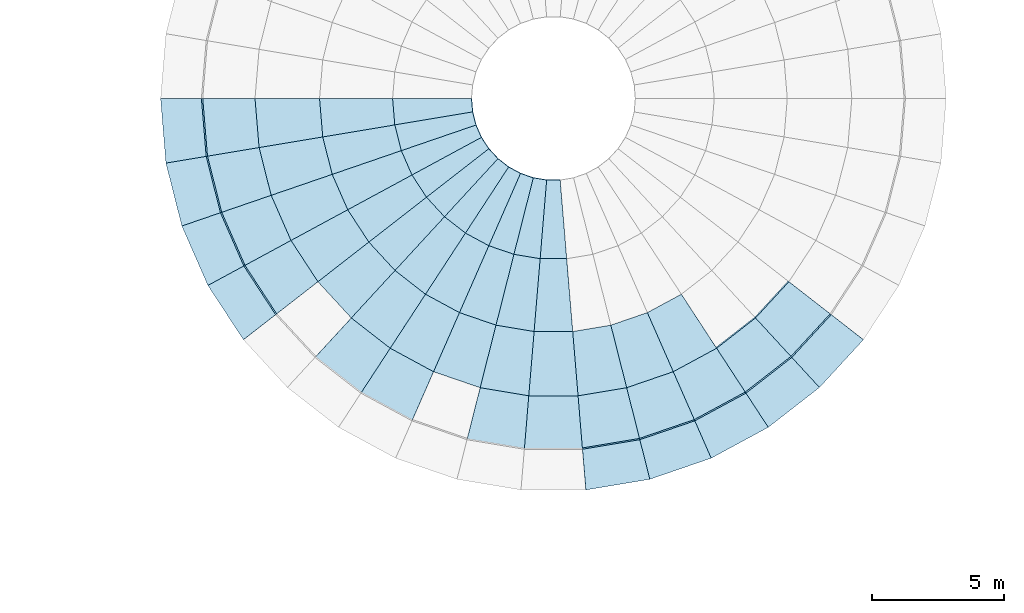
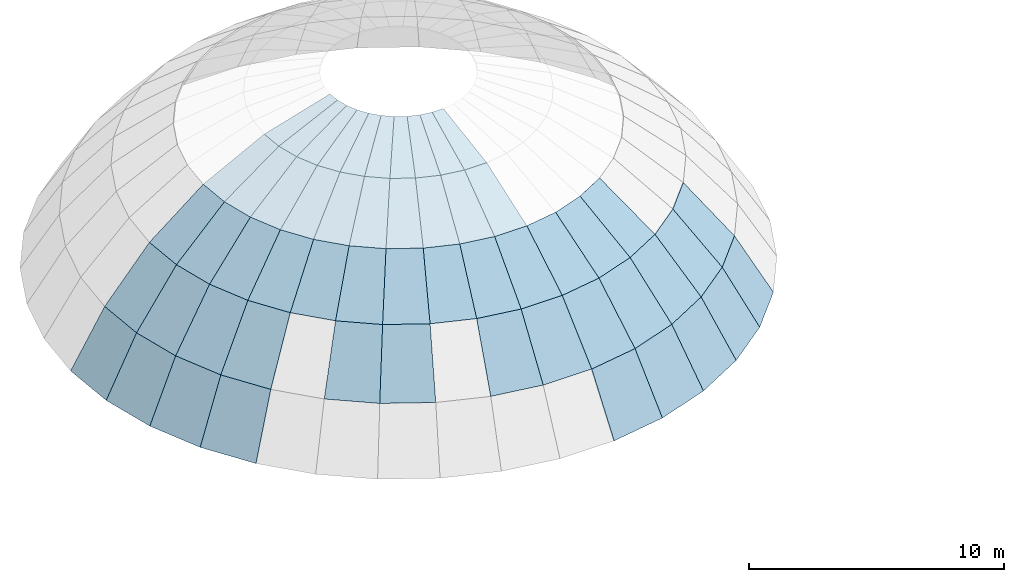
# One storey, part 22 of 36: 55 slabs, 1 element without a shape of its own.
"""IFC4 building model written with IfcOpenShell, lengths in metres."""

from ifc_helpers import new_model, si_unit, direction, frame, origin, place, context, subcontext, project, spatial, polyline, outline, extrude, material, layer, layer_set, type_object, element, aggregate, save


model = new_model("IFC4")

# Units and contexts
model_context = context("Model", 3, precision=1e-05, world=origin(), true_north=direction((0.0, 1.0)))
body_context = subcontext(model_context, "Body", "Model", "MODEL_VIEW")
ifc_project = project(units=[si_unit("LENGTHUNIT", "METRE"), si_unit("AREAUNIT", "SQUARE_METRE"), si_unit("VOLUMEUNIT", "CUBIC_METRE"), si_unit("PLANEANGLEUNIT", "RADIAN"), si_unit("MASSUNIT", "GRAM", prefix="KILO")], contexts=[model_context])

# Site, building, storey
site_placement = place(None, origin())
site = spatial("IfcSite", under=ifc_project, at=site_placement, CompositionType="ELEMENT")
building_placement = place(site_placement, origin())
building = spatial("IfcBuilding", under=site, at=building_placement, Name="Sun Court Science Centre", CompositionType="ELEMENT")
storey_placement = place(building_placement, frame((0.0, 0.0, 24.75)))
storey = spatial("IfcBuildingStorey", under=building, at=storey_placement, Name="L05", CompositionType="ELEMENT", Elevation=24.75)

# Roof, slabs
ifc_material_1 = material(Name="Zinc roofing", Category="metal")
roof_type = type_object("IfcRoofType", Name="Dome roof", PredefinedType="DOME_ROOF", material=ifc_material_1)
roof_placement = place(storey_placement, origin())
roof = element("IfcRoof", 1, at=roof_placement, inside=storey, type_object=roof_type, Name="Planetarium dome roof", PredefinedType="DOME_ROOF")
ifc_material_2 = material(Name="Zinc roofing", Category="metal")
ifc_layer = layer(ifc_material_2, 0.06005859375)
ifc_layer_set = layer_set([ifc_layer], Name="Zinc roofing")
slab_type = type_object("IfcSlabType", Name="Dome roof panel 60", PredefinedType="ROOF", material=ifc_layer_set)
slab_1_placement = place(storey_placement, frame((47.903076171875, 96.800048828125, 4.572509765625), z_axis=(-0.282920662676, -0.023409078748, 0.958857608648), x_axis=(0.082562407078, -0.996585895944, 3.0716976e-05)))
slab_1 = element("IfcSlab", 2, at=slab_1_placement, type_object=slab_type, Name="Dome roof panel 1.19", PredefinedType="ROOF", context=body_context, shape_type="SweptSolid", body=[
    extrude(outline(polyline([(0.0, 0.0), (0.5115123650280734, 6.938893903907228e-18), (0.7580285368792944, -3.101209200842104), (-0.24636375544705053, -3.1010451780721424), (0.0, 0.0)])), origin(), (0.0, 0.0, -1.0), 0.06005859375),
])
slab_2_placement = place(storey_placement, frame((47.9453125, 96.290283203125, 4.572509765625), z_axis=(-0.275177299735, -0.06973170191, 0.958861274356), x_axis=(0.245778902192, -0.969325915002, 4.1746266e-05)))
slab_2 = element("IfcSlab", 3, at=slab_2_placement, type_object=slab_type, Name="Dome roof panel 1.20", PredefinedType="ROOF", context=body_context, shape_type="SweptSolid", body=[
    extrude(outline(polyline([(0.0, 0.0), (0.5115422529292055, 1.3877787807814457e-17), (0.7568866338744009, -3.101373762949223), (-0.24724889208435352, -3.1011508695172285), (0.0, 0.0)])), origin(), (0.0, 0.0, -1.0), 0.06005859375),
])
slab_3_placement = place(storey_placement, frame((48.071044921875, 95.79443359375, 4.572509765625), z_axis=(-0.259974694417, -0.114004734069, 0.958861866419), x_axis=(0.401572936801, -0.915827044984, -1.0238373e-05)))
slab_3 = element("IfcSlab", 4, at=slab_3_placement, type_object=slab_type, Name="Dome roof panel 1.21", PredefinedType="ROOF", context=body_context, shape_type="SweptSolid", body=[
    extrude(outline(polyline([(0.0, 0.0), (0.5112986113596256, 0.0), (0.7580992321050924, -3.1012569306354894), (-0.24612903206730127, -3.101311590732382), (0.0, 0.0)])), origin(), (0.0, 0.0, -1.0), 0.06005859375),
])
slab_4_placement = place(storey_placement, frame((48.2763671875, 95.326171875, 4.572509765625), z_axis=(-0.23764830106, -0.155262337515, 0.958862290192), x_axis=(0.546964743862, -0.837155641996, 6.779158e-06)))
slab_4 = element("IfcSlab", 5, at=slab_4_placement, type_object=slab_type, Name="Dome roof panel 1.22", PredefinedType="ROOF", context=body_context, shape_type="SweptSolid", body=[
    extrude(outline(polyline([(0.0, 0.0), (0.5115216290349449, 0.0), (0.7578663566423123, -3.101318008494757), (-0.2464878193157711, -3.1012818077628306), (0.0, 0.0)])), origin(), (0.0, 0.0, -1.0), 0.06005859375),
])
slab_5_placement = place(storey_placement, frame((48.55615234375, 94.89794921875, 4.572509765625), z_axis=(-0.20885860039, -0.192261474308, 0.958860579302), x_axis=(0.677159219874, -0.735836523269, -4.4310831e-05)))
slab_5 = element("IfcSlab", 6, at=slab_5_placement, type_object=slab_type, Name="Dome roof panel 1.23", PredefinedType="ROOF", context=body_context, shape_type="SweptSolid", body=[
    extrude(outline(polyline([(0.0, 0.0), (0.5116086064163965, 8.326672684688674e-17), (0.7583229480793516, -3.1011184448600857), (-0.2458779567009431, -3.101355049731733), (0.0, 0.0)])), origin(), (0.0, 0.0, -1.0), 0.06005859375),
])
slab_6_placement = place(storey_placement, frame((48.902587890625, 94.521484375, 4.572509765625), z_axis=(-0.174360228668, -0.224020655716, 0.958860394673), x_axis=(0.789264516706, -0.614053352156, 5.809711e-05)))
slab_6 = element("IfcSlab", 7, at=slab_6_placement, type_object=slab_type, Name="Dome roof panel 1.24", PredefinedType="ROOF", context=body_context, shape_type="SweptSolid", body=[
    extrude(outline(polyline([(0.0, 0.0), (0.5113102678191315, 0.0), (0.7570502841511423, -3.1013849611477955), (-0.2472625679301471, -3.101074781028894), (0.0, 0.0)])), origin(), (0.0, 0.0, -1.0), 0.06005859375),
])
slab_7_placement = place(storey_placement, frame((49.30615234375, 94.20751953125, 4.572509765625), z_axis=(-0.135092568034, -0.249658380384, 0.958864271504), x_axis=(0.879545726999, -0.475814368426, 3.0292483e-05)))
slab_7 = element("IfcSlab", 8, at=slab_7_placement, type_object=slab_type, Name="Dome roof panel 1.25", PredefinedType="ROOF", context=body_context, shape_type="SweptSolid", body=[
    extrude(outline(polyline([(0.0, 0.0), (0.5115697510203587, -2.7755575615628914e-17), (0.7574465751250218, -3.1014538751171177), (-0.24690913133482406, -3.101292104014491), (0.0, 0.0)])), origin(), (0.0, 0.0, -1.0), 0.06005859375),
])
slab_8_placement = place(storey_placement, frame((49.756103515625, 93.964111328125, 4.572509765625), z_axis=(-0.092218765445, -0.268472280957, 0.958863042179), x_axis=(0.945688365585, -0.32507462349, -6.6028283e-05)))
slab_8 = element("IfcSlab", 9, at=slab_8_placement, type_object=slab_type, Name="Dome roof panel 1.26", PredefinedType="ROOF", context=body_context, shape_type="SweptSolid", body=[
    extrude(outline(polyline([(0.0, 0.0), (0.511421989946499, -2.7755575615628914e-17), (0.7591410183516882, -3.1011511663644113), (-0.2452469522231248, -3.101503745533287), (0.0, 0.0)])), origin(), (0.0, 0.0, -1.0), 0.06005859375),
])
slab_9_placement = place(storey_placement, frame((50.23974609375, 93.7978515625, 4.572509765625), z_axis=(-0.04668200088, -0.280000561593, 0.958864159462), x_axis=(0.98642877333, -0.164189734724, 7.8479243e-05)))
slab_9 = element("IfcSlab", 10, at=slab_9_placement, type_object=slab_type, Name="Dome roof panel 1.27", PredefinedType="ROOF", context=body_context, shape_type="SweptSolid", body=[
    extrude(outline(polyline([(0.0, 0.0), (0.511579478324477, -1.3877787807814457e-17), (0.7565548448901765, -3.1015781726722316), (-0.24761946756240694, -3.1011591175637134), (0.0, 0.0)])), origin(), (0.0, 0.0, -1.0), 0.06005859375),
])
slab_10_placement = place(storey_placement, frame((50.744384765625, 93.7138671875, 4.572509765625), z_axis=(0.0, -0.283857825066, 0.958866380237), x_axis=(1.0, 0.0, 0.0)))
slab_10 = element("IfcSlab", 11, at=slab_10_placement, type_object=slab_type, Name="Dome roof panel 1.28", PredefinedType="ROOF", context=body_context, shape_type="SweptSolid", body=[
    extrude(outline(polyline([(0.0, 0.0), (0.51123046875, 0.0), (0.7578125, -3.101450853236047), (-0.24658203125, -3.101450853236047), (0.0, 0.0)])), origin(), (0.0, 0.0, -1.0), 0.06005859375),
])
slab_11_placement = place(storey_placement, frame((44.91943359375, 96.800048828125, 3.692138671875), z_axis=(-0.459779747646, -0.038063658297, 0.887216851492), x_axis=(0.082423605809, -0.996597384817, -4.2196715e-05)))
slab_11 = element("IfcSlab", 12, at=slab_11_placement, type_object=slab_type, Name="Dome roof panel 2.19", PredefinedType="ROOF", context=body_context, shape_type="SweptSolid", body=[
    extrude(outline(polyline([(0.0, 0.0), (1.0043923047169407, 0.0), (1.2329437482342744, -3.1024954451500992), (-0.22761066327719578, -3.102720896672568), (0.0, 0.0)])), origin(), (0.0, 0.0, -1.0), 0.06005859375),
])
slab_12_placement = place(storey_placement, frame((45.002197265625, 95.799072265625, 3.692138671875), z_axis=(-0.447235594509, -0.11324849818, 0.887217617422), x_axis=(0.245546232959, -0.969384880152, 4.016336e-05)))
slab_12 = element("IfcSlab", 13, at=slab_12_placement, type_object=slab_type, Name="Dome roof panel 2.20", PredefinedType="ROOF", context=body_context, shape_type="SweptSolid", body=[
    extrude(outline(polyline([(0.0, 0.0), (1.0041355499152966, -2.7755575615628914e-17), (1.2320882679343674, -3.102725378946719), (-0.22834258899507395, -3.1025108237970223), (0.0, 0.0)])), origin(), (0.0, 0.0, -1.0), 0.06005859375),
])
slab_13_placement = place(storey_placement, frame((45.248779296875, 94.82568359375, 3.692138671875), z_axis=(-0.42248968974, -0.185310512915, 0.887221773778), x_axis=(0.40163362407, -0.915800432101, -2.4100601e-05)))
slab_13 = element("IfcSlab", 14, at=slab_13_placement, type_object=slab_type, Name="Dome roof panel 2.21", PredefinedType="ROOF", context=body_context, shape_type="SweptSolid", body=[
    extrude(outline(polyline([(0.0, 0.0), (1.0042282653043022, 5.551115123125783e-17), (1.2326150009461694, -3.102607474099371), (-0.22780501020789273, -3.102736227502854), (0.0, 0.0)])), origin(), (0.0, 0.0, -1.0), 0.06005859375),
])
slab_14_placement = place(storey_placement, frame((45.652099609375, 93.906005859375, 3.692138671875), z_axis=(-0.386227181641, -0.25233631058, 0.887217532809), x_axis=(0.546938249766, -0.837172951597, -7.568814e-06)))
slab_14 = element("IfcSlab", 15, at=slab_14_placement, type_object=slab_type, Name="Dome roof panel 2.22", PredefinedType="ROOF", context=body_context, shape_type="SweptSolid", body=[
    extrude(outline(polyline([(0.0, 0.0), (1.0043541765804533, 1.1102230246251565e-16), (1.2325022534109964, -3.102596792592947), (-0.22798214474136738, -3.102637230116387), (0.0, 0.0)])), origin(), (0.0, 0.0, -1.0), 0.06005859375),
])
slab_15_placement = place(storey_placement, frame((46.201416015625, 93.065185546875, 3.692138671875), z_axis=(-0.339408860934, -0.312491960558, 0.887214968148), x_axis=(0.677330987808, -0.735678416805, -1.636312e-06)))
slab_15 = element("IfcSlab", 16, at=slab_15_placement, type_object=slab_type, Name="Dome roof panel 2.23", PredefinedType="ROOF", context=body_context, shape_type="SweptSolid", body=[
    extrude(outline(polyline([(0.0, 0.0), (1.0042009329307369, 0.0), (1.2322494452831905, -3.1025794740086017), (-0.2282646843446842, -3.102588215719342), (0.0, 0.0)])), origin(), (0.0, 0.0, -1.0), 0.06005859375),
])
slab_16_placement = place(storey_placement, frame((46.881591796875, 92.326416015625, 3.692138671875), z_axis=(-0.283395806017, -0.364059182507, 0.887213462907), x_axis=(0.789082408073, -0.614287353777, -1.6125535e-05)))
slab_16 = element("IfcSlab", 17, at=slab_16_placement, type_object=slab_type, Name="Dome roof panel 2.24", PredefinedType="ROOF", context=body_context, shape_type="SweptSolid", body=[
    extrude(outline(polyline([(0.0, 0.0), (1.0043129002924966, -5.551115123125783e-17), (1.2326254321472232, -3.1025212971472564), (-0.22766770844830048, -3.102607440641787), (0.0, 0.0)])), origin(), (0.0, 0.0, -1.0), 0.06005859375),
])
slab_17_placement = place(storey_placement, frame((47.674072265625, 91.70947265625, 3.692138671875), z_axis=(-0.21959635091, -0.405746066601, 0.88721337462), x_axis=(0.879467451439, -0.475959033687, 1.0524299e-05)))
slab_17 = element("IfcSlab", 18, at=slab_17_placement, type_object=slab_type, Name="Dome roof panel 2.25", PredefinedType="ROOF", context=body_context, shape_type="SweptSolid", body=[
    extrude(outline(polyline([(0.0, 0.0), (1.0043557195474127, 0.0), (1.2326393486304787, -3.1025913556873705), (-0.2281245814021605, -3.1025351226062803), (0.0, 0.0)])), origin(), (0.0, 0.0, -1.0), 0.06005859375),
])
slab_18_placement = place(storey_placement, frame((48.557373046875, 91.2314453125, 3.692138671875), z_axis=(-0.149808673466, -0.436355464995, 0.887215458343), x_axis=(0.945803345867, -0.32473994326, -1.4093916e-05)))
slab_18 = element("IfcSlab", 19, at=slab_18_placement, type_object=slab_type, Name="Dome roof panel 2.26", PredefinedType="ROOF", context=body_context, shape_type="SweptSolid", body=[
    extrude(outline(polyline([(0.0, 0.0), (1.0043880329499804, 0.0), (1.2324309761989842, -3.102552535878348), (-0.22778740695029953, -3.1026278269904615), (0.0, 0.0)])), origin(), (0.0, 0.0, -1.0), 0.06005859375),
])
slab_19_placement = place(storey_placement, frame((49.50732421875, 90.9052734375, 3.692138671875), z_axis=(-0.075950665863, -0.455064218209, 0.887213646007), x_axis=(0.986360063778, -0.164602018368, 1.1513372e-05)))
slab_19 = element("IfcSlab", 20, at=slab_19_placement, type_object=slab_type, Name="Dome roof panel 2.27", PredefinedType="ROOF", context=body_context, shape_type="SweptSolid", body=[
    extrude(outline(polyline([(0.0, 0.0), (1.0041744006795592, 2.7755575615628914e-17), (1.2323384521020426, -3.1025975005504622), (-0.22826792593699613, -3.1025359910763353), (0.0, 0.0)])), origin(), (0.0, 0.0, -1.0), 0.06005859375),
])
slab_20_placement = place(storey_placement, frame((50.497802734375, 90.739990234375, 3.692138671875), z_axis=(0.0, -0.461352736642, 0.887216801235), x_axis=(1.0, 0.0, 0.0)))
slab_20 = element("IfcSlab", 21, at=slab_20_placement, type_object=slab_type, Name="Dome roof panel 2.28", PredefinedType="ROOF", context=body_context, shape_type="SweptSolid", body=[
    extrude(outline(polyline([(0.0, 0.0), (1.00439453125, 0.0), (1.232421875, -3.1026075509892683), (-0.22802734375, -3.1026075509892683), (0.0, 0.0)])), origin(), (0.0, 0.0, -1.0), 0.06005859375),
])
slab_21_placement = place(storey_placement, frame((42.1572265625, 96.800048828125, 2.2607421875), z_axis=(-0.619680838309, -0.051331805016, 0.78317348297), x_axis=(0.08256662234, -0.996585547136, 1.0749548e-05)))
slab_21 = element("IfcSlab", 22, at=slab_21_placement, type_object=slab_type, Name="Dome roof panel 3.19", PredefinedType="ROOF", context=body_context, shape_type="SweptSolid", body=[
    extrude(outline(polyline([(0.0, 0.0), (1.4605544295554562, -1.3877787807814457e-17), (1.6620776307178111, -3.1045797109277222), (-0.2014583138953861, -3.1045222450532597), (0.0, 0.0)])), origin(), (0.0, 0.0, -1.0), 0.06005859375),
])
slab_22_placement = place(storey_placement, frame((42.27783203125, 95.344482421875, 2.2607421875), z_axis=(-0.602788271935, -0.152649723786, 0.783163048825), x_axis=(0.245438462626, -0.96941217203, -4.2230724e-05)))
slab_22 = element("IfcSlab", 23, at=slab_22_placement, type_object=slab_type, Name="Dome roof panel 3.20", PredefinedType="ROOF", context=body_context, shape_type="SweptSolid", body=[
    extrude(outline(polyline([(0.0, 0.0), (1.46043087127398, 5.551115123125783e-17), (1.661961167689636, -3.104372498702918), (-0.20123778925389468, -3.104598223359524), (0.0, 0.0)])), origin(), (0.0, 0.0, -1.0), 0.06005859375),
])
slab_23_placement = place(storey_placement, frame((42.63623046875, 93.9287109375, 2.2607421875), z_axis=(-0.569460040478, -0.249789618333, 0.783147756731), x_axis=(0.401706964729, -0.915768264582, 8.502997e-06)))
slab_23 = element("IfcSlab", 24, at=slab_23_placement, type_object=slab_type, Name="Dome roof panel 3.21", PredefinedType="ROOF", context=body_context, shape_type="SweptSolid", body=[
    extrude(outline(polyline([(0.0, 0.0), (1.460420016998324, 0.0), (1.6618667521348753, -3.104411936129929), (-0.20162292640242035, -3.1043664849008463), (0.0, 0.0)])), origin(), (0.0, 0.0, -1.0), 0.06005859375),
])
slab_24_placement = place(storey_placement, frame((43.222900390625, 92.59130859375, 2.2607421875), z_axis=(-0.520570550385, -0.340120099027, 0.783150445515), x_axis=(0.546962352462, -0.837157204464, -1.913327e-06)))
slab_24 = element("IfcSlab", 25, at=slab_24_placement, type_object=slab_type, Name="Dome roof panel 3.22", PredefinedType="ROOF", context=body_context, shape_type="SweptSolid", body=[
    extrude(outline(polyline([(0.0, 0.0), (1.4604843987329499, 0.0), (1.6620683588200258, -3.1044010029275224), (-0.20145760750132757, -3.104411230636445), (0.0, 0.0)])), origin(), (0.0, 0.0, -1.0), 0.06005859375),
])
slab_25_placement = place(storey_placement, frame((44.021728515625, 91.36865234375, 2.2607421875), z_axis=(-0.457474804368, -0.42116365526, 0.783158974191), x_axis=(0.677324109686, -0.735684749108, 1.919983e-05)))
slab_25 = element("IfcSlab", 26, at=slab_25_placement, type_object=slab_type, Name="Dome roof panel 3.23", PredefinedType="ROOF", context=body_context, shape_type="SweptSolid", body=[
    extrude(outline(polyline([(0.0, 0.0), (1.460514129216305, 0.0), (1.6618014553959566, -3.1045110551142914), (-0.20146958689061778, -3.104408427419079), (0.0, 0.0)])), origin(), (0.0, 0.0, -1.0), 0.06005859375),
])
slab_26_placement = place(storey_placement, frame((45.010986328125, 90.294189453125, 2.2607421875), z_axis=(-0.381938375577, -0.490691696821, 0.783163288167), x_axis=(0.789121430342, -0.614237224635, -6.829699e-06)))
slab_26 = element("IfcSlab", 27, at=slab_26_placement, type_object=slab_type, Name="Dome roof panel 3.24", PredefinedType="ROOF", context=body_context, shape_type="SweptSolid", body=[
    extrude(outline(polyline([(0.0, 0.0), (1.4602931431949102, 1.1102230246251565e-16), (1.6620055472255875, -3.1044686144011804), (-0.20137884829265684, -3.1045051199164755), (0.0, 0.0)])), origin(), (0.0, 0.0, -1.0), 0.06005859375),
])
slab_27_placement = place(storey_placement, frame((46.163330078125, 89.397216796875, 2.2607421875), z_axis=(-0.295968954451, -0.546864408201, 0.783161348027), x_axis=(0.879453420599, -0.475984958674, -1.0627893e-05)))
slab_27 = element("IfcSlab", 28, at=slab_27_placement, type_object=slab_type, Name="Dome roof panel 3.25", PredefinedType="ROOF", context=body_context, shape_type="SweptSolid", body=[
    extrude(outline(polyline([(0.0, 0.0), (1.4607639310290823, -5.551115123125783e-17), (1.6623499567334266, -3.1044462573159155), (-0.20118133412186148, -3.10450307494001), (0.0, 0.0)])), origin(), (0.0, 0.0, -1.0), 0.06005859375),
])
slab_28_placement = place(storey_placement, frame((47.447998046875, 88.701904296875, 2.2607421875), z_axis=(-0.20190512025, -0.588128602537, 0.783159670371), x_axis=(0.9458187734, -0.324695007457, 4.127116e-06)))
slab_28 = element("IfcSlab", 29, at=slab_28_placement, type_object=slab_type, Name="Dome roof panel 3.26", PredefinedType="ROOF", context=body_context, shape_type="SweptSolid", body=[
    extrude(outline(polyline([(0.0, 0.0), (1.4602183851572397, -5.551115123125783e-17), (1.6616818746542263, -3.1044751490043803), (-0.20148075593123843, -3.1044530912296278), (0.0, 0.0)])), origin(), (0.0, 0.0, -1.0), 0.06005859375),
])
slab_29_placement = place(storey_placement, frame((48.8291015625, 88.227783203125, 2.2607421875), z_axis=(-0.102346841642, -0.613350327201, 0.783151645678), x_axis=(0.986356680793, -0.164622287559, -2.6358786e-05)))
slab_29 = element("IfcSlab", 30, at=slab_29_placement, type_object=slab_type, Name="Dome roof panel 3.27", PredefinedType="ROOF", context=body_context, shape_type="SweptSolid", body=[
    extrude(outline(polyline([(0.0, 0.0), (1.4606063785650225, 5.551115123125783e-17), (1.66221108969404, -3.104343206328372), (-0.20132529772321098, -3.1044841134277403), (0.0, 0.0)])), origin(), (0.0, 0.0, -1.0), 0.06005859375),
])
slab_30_placement = place(storey_placement, frame((50.269775390625, 87.9873046875, 2.2607421875), z_axis=(0.0, -0.621842424177, 0.783142387752), x_axis=(1.0, 0.0, 0.0)))
slab_30 = element("IfcSlab", 31, at=slab_30_placement, type_object=slab_type, Name="Dome roof panel 3.28", PredefinedType="ROOF", context=body_context, shape_type="SweptSolid", body=[
    extrude(outline(polyline([(0.0, 0.0), (1.46044921875, 0.0), (1.661865234375, -3.104355455371211), (-0.201416015625, -3.104355455371211), (0.0, 0.0)])), origin(), (0.0, 0.0, -1.0), 0.06005859375),
])
slab_31_placement = place(storey_placement, frame((51.730224609375, 87.9873046875, 2.2607421875), z_axis=(0.102346841642, -0.613350327201, 0.783151645678), x_axis=(0.986356680793, 0.164622287559, 2.6358786e-05)))
slab_31 = element("IfcSlab", 32, at=slab_31_placement, type_object=slab_type, Name="Dome roof panel 3.29", PredefinedType="ROOF", context=body_context, shape_type="SweptSolid", body=[
    extrude(outline(polyline([(0.0, 0.0), (1.4606063785650225, -5.551115123125783e-17), (1.6619316762882335, -3.1044841134277403), (-0.2016047111290173, -3.1043432063283722), (0.0, 0.0)])), origin(), (0.0, 0.0, -1.0), 0.06005859375),
])
slab_32_placement = place(storey_placement, frame((53.1708984375, 88.227783203125, 2.2607421875), z_axis=(0.20190512025, -0.588128602537, 0.783159670371), x_axis=(0.9458187734, 0.324695007457, -4.127116e-06)))
slab_32 = element("IfcSlab", 33, at=slab_32_placement, type_object=slab_type, Name="Dome roof panel 3.30", PredefinedType="ROOF", context=body_context, shape_type="SweptSolid", body=[
    extrude(outline(polyline([(0.0, 0.0), (1.4602183851572397, 5.551115123125783e-17), (1.6616991410884778, -3.1044530912296278), (-0.20146348949698661, -3.1044751490043803), (0.0, 0.0)])), origin(), (0.0, 0.0, -1.0), 0.06005859375),
])
slab_33_placement = place(storey_placement, frame((54.552001953125, 88.701904296875, 2.2607421875), z_axis=(0.295968954451, -0.546864408201, 0.783161348027), x_axis=(0.879453420599, 0.475984958674, 1.0627893e-05)))
slab_33 = element("IfcSlab", 34, at=slab_33_placement, type_object=slab_type, Name="Dome roof panel 3.31", PredefinedType="ROOF", context=body_context, shape_type="SweptSolid", body=[
    extrude(outline(polyline([(0.0, 0.0), (1.4607639310290823, 5.551115123125783e-17), (1.6619452651509437, -3.10450307494001), (-0.20158602570434422, -3.1044462573159146), (0.0, 0.0)])), origin(), (0.0, 0.0, -1.0), 0.06005859375),
])
slab_34_placement = place(storey_placement, frame((39.717529296875, 96.800048828125, 0.330322265625), z_axis=(-0.756814240783, -0.062668473107, 0.650618834208), x_axis=(0.082528560976, -0.996588699807, 6.298749e-06)))
slab_34 = element("IfcSlab", 35, at=slab_34_placement, type_object=slab_type, Name="Dome roof panel 4.19", PredefinedType="ROOF", context=body_context, shape_type="SweptSolid", body=[
    extrude(outline(polyline([(0.0, 0.0), (1.8635359455197331, 1.3877787807814457e-17), (2.0310254130933583, -3.1065707133495457), (-0.16738906758917618, -3.1065370222015263), (0.0, 0.0)])), origin(), (0.0, 0.0, -1.0), 0.06005859375),
])
slab_35_placement = place(storey_placement, frame((39.871337890625, 94.94287109375, 0.330322265625), z_axis=(-0.736150998471, -0.186468458408, 0.650623717266), x_axis=(0.24555077365, -0.9693837308, 4.545345e-06)))
slab_35 = element("IfcSlab", 36, at=slab_35_placement, type_object=slab_type, Name="Dome roof panel 4.20", PredefinedType="ROOF", context=body_context, shape_type="SweptSolid", body=[
    extrude(outline(polyline([(0.0, 0.0), (1.8631989722354956, 0.0), (2.0306943226891074, -3.1065831360982337), (-0.1677098146866483, -3.106558825614449), (0.0, 0.0)])), origin(), (0.0, 0.0, -1.0), 0.06005859375),
])
slab_36_placement = place(storey_placement, frame((40.328857421875, 93.13671875, 0.330322265625), z_axis=(-0.695437010646, -0.305041056849, 0.650628402286), x_axis=(0.401687097034, -0.915776979439, -2.311103e-06)))
slab_36 = element("IfcSlab", 37, at=slab_36_placement, type_object=slab_type, Name="Dome roof panel 4.21", PredefinedType="ROOF", context=body_context, shape_type="SweptSolid", body=[
    extrude(outline(polyline([(0.0, 0.0), (1.8634896791472875, -1.1102230246251565e-16), (2.031038160095356, -3.106581220800602), (-0.16730148893512353, -3.1065935823405066), (0.0, 0.0)])), origin(), (0.0, 0.0, -1.0), 0.06005859375),
])
slab_37_placement = place(storey_placement, frame((41.077392578125, 91.43017578125, 0.330322265625), z_axis=(-0.635732830897, -0.415362490032, 0.650628749437), x_axis=(0.546965426851, -0.837155195783, 1.556266e-06)))
slab_37 = element("IfcSlab", 38, at=slab_37_placement, type_object=slab_type, Name="Dome roof panel 4.22", PredefinedType="ROOF", context=body_context, shape_type="SweptSolid", body=[
    extrude(outline(polyline([(0.0, 0.0), (1.8635259663475052, -1.1102230246251565e-16), (2.030822214457051, -3.106592780540554), (-0.16748847720727236, -3.1065844564289096), (0.0, 0.0)])), origin(), (0.0, 0.0, -1.0), 0.06005859375),
])
slab_38_placement = place(storey_placement, frame((43.358642578125, 88.499267578125, 0.330322265625), z_axis=(-0.466428232777, -0.599250050702, 0.650648968648), x_axis=(0.78913266972, -0.614222784973, 1.108934e-06)))
slab_38 = element("IfcSlab", 39, at=slab_38_placement, type_object=slab_type, Name="Dome roof panel 4.24", PredefinedType="ROOF", context=body_context, shape_type="SweptSolid", body=[
    extrude(outline(polyline([(0.0, 0.0), (1.863384395916643, 1.1102230246251565e-16), (2.030886813555454, -3.1066624550386557), (-0.16756117831787, -3.1066565234741814), (0.0, 0.0)])), origin(), (0.0, 0.0, -1.0), 0.06005859375),
])
slab_39_placement = place(storey_placement, frame((44.8291015625, 87.354736328125, 0.330322265625), z_axis=(-0.361413677165, -0.667871296322, 0.650636677039), x_axis=(0.87947770756, -0.475940081938, -1.7593877e-05)))
slab_39 = element("IfcSlab", 40, at=slab_39_placement, type_object=slab_type, Name="Dome roof panel 4.25", PredefinedType="ROOF", context=body_context, shape_type="SweptSolid", body=[
    extrude(outline(polyline([(0.0, 0.0), (1.863531291145563, 0.0), (2.030755320710594, -3.106569356336844), (-0.16748374600653926, -3.1066634612967055), (0.0, 0.0)])), origin(), (0.0, 0.0, -1.0), 0.06005859375),
])
slab_40_placement = place(storey_placement, frame((48.230224609375, 85.86279296875, 0.330322265625), z_axis=(-0.12497036233, -0.749046244047, 0.650624417631), x_axis=(0.986367493608, -0.164557489896, 8.504647e-06)))
slab_40 = element("IfcSlab", 41, at=slab_40_placement, type_object=slab_type, Name="Dome roof panel 4.27", PredefinedType="ROOF", context=body_context, shape_type="SweptSolid", body=[
    extrude(outline(polyline([(0.0, 0.0), (1.863536393233653, 0.0), (2.030929258914925, -3.1065961810396425), (-0.1675058676117715, -3.1065506903269124), (0.0, 0.0)])), origin(), (0.0, 0.0, -1.0), 0.06005859375),
])
slab_41_placement = place(storey_placement, frame((50.068359375, 85.55615234375, 0.330322265625), z_axis=(0.0, -0.759395269727, 0.650629559978), x_axis=(1.0, 0.0, 0.0)))
slab_41 = element("IfcSlab", 42, at=slab_41_placement, type_object=slab_type, Name="Dome roof panel 4.28", PredefinedType="ROOF", context=body_context, shape_type="SweptSolid", body=[
    extrude(outline(polyline([(0.0, 0.0), (1.86328125, 0.0), (2.03076171875, -3.106591459576191), (-0.16748046875, -3.106591459576191), (0.0, 0.0)])), origin(), (0.0, 0.0, -1.0), 0.06005859375),
])
slab_42_placement = place(storey_placement, frame((51.931640625, 85.55615234375, 0.330322265625), z_axis=(0.12497036233, -0.749046244047, 0.650624417631), x_axis=(0.986367493608, 0.164557489896, -8.504647e-06)))
slab_42 = element("IfcSlab", 43, at=slab_42_placement, type_object=slab_type, Name="Dome roof panel 4.29", PredefinedType="ROOF", context=body_context, shape_type="SweptSolid", body=[
    extrude(outline(polyline([(0.0, 0.0), (1.863536393233653, 0.0), (2.031042260845424, -3.106550690326912), (-0.16739286568127196, -3.1065961810396425), (0.0, 0.0)])), origin(), (0.0, 0.0, -1.0), 0.06005859375),
])
slab_43_placement = place(storey_placement, frame((53.769775390625, 85.86279296875, 0.330322265625), z_axis=(0.246585825862, -0.718257676775, 0.650616123562), x_axis=(0.945814477646, 0.324707520507, -1.190828e-06)))
slab_43 = element("IfcSlab", 44, at=slab_43_placement, type_object=slab_type, Name="Dome roof panel 4.30", PredefinedType="ROOF", context=body_context, shape_type="SweptSolid", body=[
    extrude(outline(polyline([(0.0, 0.0), (1.8631626307288045, 5.551115123125783e-17), (2.0309092432430527, -3.1065411824588423), (-0.16756407122800734, -3.106547551522466), (0.0, 0.0)])), origin(), (0.0, 0.0, -1.0), 0.06005859375),
])
slab_44_placement = place(storey_placement, frame((55.531982421875, 86.4677734375, 0.330322265625), z_axis=(0.361413677165, -0.667871296322, 0.650636677039), x_axis=(0.87947770756, 0.475940081938, 1.7593877e-05)))
slab_44 = element("IfcSlab", 45, at=slab_44_placement, type_object=slab_type, Name="Dome roof panel 4.31", PredefinedType="ROOF", context=body_context, shape_type="SweptSolid", body=[
    extrude(outline(polyline([(0.0, 0.0), (1.863531291145563, 0.0), (2.0310150371521027, -3.1066634612967055), (-0.16722402956503069, -3.106569356336844), (0.0, 0.0)])), origin(), (0.0, 0.0, -1.0), 0.06005859375),
])
slab_45_placement = place(storey_placement, frame((57.1708984375, 87.354736328125, 0.330322265625), z_axis=(0.466428232777, -0.599250050702, 0.650648968648), x_axis=(0.78913266972, 0.614222784973, -1.108934e-06)))
slab_45 = element("IfcSlab", 46, at=slab_45_placement, type_object=slab_type, Name="Dome roof panel 4.32", PredefinedType="ROOF", context=body_context, shape_type="SweptSolid", body=[
    extrude(outline(polyline([(0.0, 0.0), (1.863384395916643, -1.1102230246251565e-16), (2.030945574234513, -3.1066565234741814), (-0.16750241763881077, -3.1066624550386557), (0.0, 0.0)])), origin(), (0.0, 0.0, -1.0), 0.06005859375),
])
slab_46_placement = place(storey_placement, frame((58.641357421875, 88.499267578125, 0.330322265625), z_axis=(0.558716350549, -0.514302052422, 0.650637716786), x_axis=(0.677269030657, 0.735735455056, -1.6947333e-05)))
slab_46 = element("IfcSlab", 47, at=slab_46_placement, type_object=slab_type, Name="Dome roof panel 4.33", PredefinedType="ROOF", context=body_context, shape_type="SweptSolid", body=[
    extrude(outline(polyline([(0.0, 0.0), (1.8632710448248617, 1.1102230246251565e-16), (2.0309022058053867, -3.10657472632978), (-0.1673970956323661, -3.1066653687438617), (0.0, 0.0)])), origin(), (0.0, 0.0, -1.0), 0.06005859375),
])
slab_47_placement = place(storey_placement, frame((37.689453125, 96.800048828125, -2.02880859375), z_axis=(-0.853467647357, -0.070657843988, 0.51633365569), x_axis=(0.082508340644, -0.996590374085, 2.46392e-06)))
slab_47 = element("IfcSlab", 48, at=slab_47_placement, type_object=slab_type, Name="Dome roof panel 5.19", PredefinedType="ROOF", context=body_context, shape_type="SweptSolid", body=[
    extrude(outline(polyline([(0.0, 0.0), (2.1984144809896926, 0.0), (2.3258934278074275, -2.97768772756399), (-0.12729393070750414, -2.9776743443983107), (0.0, 0.0)])), origin(), (0.0, 0.0, -1.0), 0.06005859375),
])
slab_48_placement = place(storey_placement, frame((37.870849609375, 94.609130859375, -2.02880859375), z_axis=(-0.830166977944, -0.210261024517, 0.516345901795), x_axis=(0.245527390395, -0.969389653602, 7.494906e-06)))
slab_48 = element("IfcSlab", 49, at=slab_48_placement, type_object=slab_type, Name="Dome roof panel 5.20", PredefinedType="ROOF", context=body_context, shape_type="SweptSolid", body=[
    extrude(outline(polyline([(0.0, 0.0), (2.1984041373171115, 0.0), (2.3257459518934933, -2.977727063391012), (-0.12751105197289683, -2.977686352771813), (0.0, 0.0)])), origin(), (0.0, 0.0, -1.0), 0.06005859375),
])
slab_49_placement = place(storey_placement, frame((38.41064453125, 92.47802734375, -2.02880859375), z_axis=(-0.78424666779, -0.343984396412, 0.51636411483), x_axis=(0.401681666298, -0.915779361478, 7.160454e-06)))
slab_49 = element("IfcSlab", 50, at=slab_49_placement, type_object=slab_type, Name="Dome roof panel 5.21", PredefinedType="ROOF", context=body_context, shape_type="SweptSolid", body=[
    extrude(outline(polyline([(0.0, 0.0), (2.198339648863835, 1.1102230246251565e-16), (2.325791510948106, -2.977764340275422), (-0.1273796046519819, -2.9777254470818058), (0.0, 0.0)])), origin(), (0.0, 0.0, -1.0), 0.06005859375),
])
slab_50_placement = place(storey_placement, frame((39.293701171875, 90.46484375, -2.02880859375), z_axis=(-0.716910834533, -0.468396727691, 0.516375213209), x_axis=(0.546961173499, -0.837157974748, 6.49563e-07)))
slab_50 = element("IfcSlab", 51, at=slab_50_placement, type_object=slab_type, Name="Dome roof panel 5.22", PredefinedType="ROOF", context=body_context, shape_type="SweptSolid", body=[
    extrude(outline(polyline([(0.0, 0.0), (2.198310691682863, 0.0), (2.325787522992388, -2.9777699271190157), (-0.12740375951022145, -2.9777663988884338), (0.0, 0.0)])), origin(), (0.0, 0.0, -1.0), 0.06005859375),
])
slab_51_placement = place(storey_placement, frame((52.09912109375, 83.534912109375, -2.02880859375), z_axis=(0.140954652438, -0.84469412732, 0.516356095372), x_axis=(0.98636197549, 0.164590562484, -7.025948e-06)))
slab_51 = element("IfcSlab", 52, at=slab_51_placement, type_object=slab_type, Name="Dome roof panel 5.29", PredefinedType="ROOF", context=body_context, shape_type="SweptSolid", body=[
    extrude(outline(polyline([(0.0, 0.0), (2.1984351269287896, 0.0), (2.3257884043289545, -2.9777089983565435), (-0.12735278937866626, -2.9777471612776), (0.0, 0.0)])), origin(), (0.0, 0.0, -1.0), 0.06005859375),
])
slab_52_placement = place(storey_placement, frame((54.267578125, 83.896728515625, -2.02880859375), z_axis=(0.278082750952, -0.809977251481, 0.516339845167), x_axis=(0.945811713453, 0.324715571976, -3.285932e-06)))
slab_52 = element("IfcSlab", 53, at=slab_52_placement, type_object=slab_type, Name="Dome roof panel 5.30", PredefinedType="ROOF", context=body_context, shape_type="SweptSolid", body=[
    extrude(outline(polyline([(0.0, 0.0), (2.198473314438412, 0.0), (2.3257622390677324, -2.9776850874043417), (-0.12749494746010606, -2.977702936027924), (0.0, 0.0)])), origin(), (0.0, 0.0, -1.0), 0.06005859375),
])
slab_53_placement = place(storey_placement, frame((56.346923828125, 84.610595703125, -2.02880859375), z_axis=(0.407566496827, -0.753191157035, 0.5163260904), x_axis=(0.879494949199, 0.475908220463, -5.446576e-06)))
slab_53 = element("IfcSlab", 54, at=slab_53_placement, type_object=slab_type, Name="Dome roof panel 5.31", PredefinedType="ROOF", context=body_context, shape_type="SweptSolid", body=[
    extrude(outline(polyline([(0.0, 0.0), (2.1982390691866924, 0.0), (2.325689495863278, -2.977650385183416), (-0.1274086428875124, -2.97767996726631), (0.0, 0.0)])), origin(), (0.0, 0.0, -1.0), 0.06005859375),
])
slab_54_placement = place(storey_placement, frame((58.2802734375, 85.65673828125, -2.02880859375), z_axis=(0.526035197075, -0.675804425192, 0.516309355259), x_axis=(0.789123216363, 0.614234930088, -7.558985e-06)))
slab_54 = element("IfcSlab", 55, at=slab_54_placement, type_object=slab_type, Name="Dome roof panel 5.32", PredefinedType="ROOF", context=body_context, shape_type="SweptSolid", body=[
    extrude(outline(polyline([(0.0, 0.0), (2.1984479916480097, -1.1102230246251565e-16), (2.325684077204966, -2.977609568106752), (-0.1274448219754976, -2.977650624988831), (0.0, 0.0)])), origin(), (0.0, 0.0, -1.0), 0.06005859375),
])
slab_55_placement = place(storey_placement, frame((60.01513671875, 87.007080078125, -2.02880859375), z_axis=(0.630053574297, -0.580025064046, 0.51633653618), x_axis=(0.677278897129, 0.735726371909, 3.4369162e-05)))
slab_55 = element("IfcSlab", 56, at=slab_55_placement, type_object=slab_type, Name="Dome roof panel 5.33", PredefinedType="ROOF", context=body_context, shape_type="SweptSolid", body=[
    extrude(outline(polyline([(0.0, 0.0), (2.198299298972227, 0.0), (2.325531012433287, -2.977780406789775), (-0.1276060761926489, -2.9775937316047605), (0.0, 0.0)])), origin(), (0.0, 0.0, -1.0), 0.06005859375),
])
aggregate(roof, [slab_1, slab_2, slab_3, slab_4, slab_5, slab_6, slab_7, slab_8, slab_9, slab_10, slab_11, slab_12, slab_13, slab_14, slab_15, slab_16, slab_17, slab_18, slab_19, slab_20, slab_21, slab_22, slab_23, slab_24, slab_25, slab_26, slab_27, slab_28, slab_29, slab_30, slab_31, slab_32, slab_33, slab_34, slab_35, slab_36, slab_37, slab_38, slab_39, slab_40, slab_41, slab_42, slab_43, slab_44, slab_45, slab_46, slab_47, slab_48, slab_49, slab_50, slab_51, slab_52, slab_53, slab_54, slab_55])

save(model, "model.ifc")
